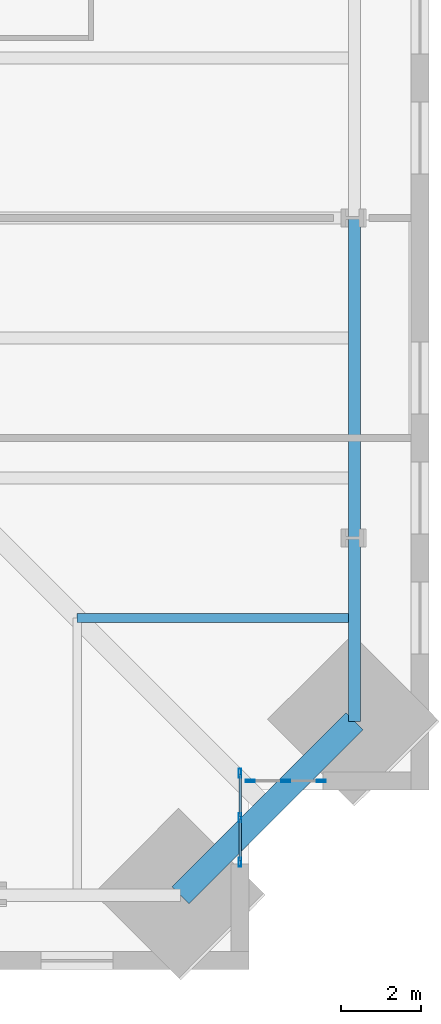
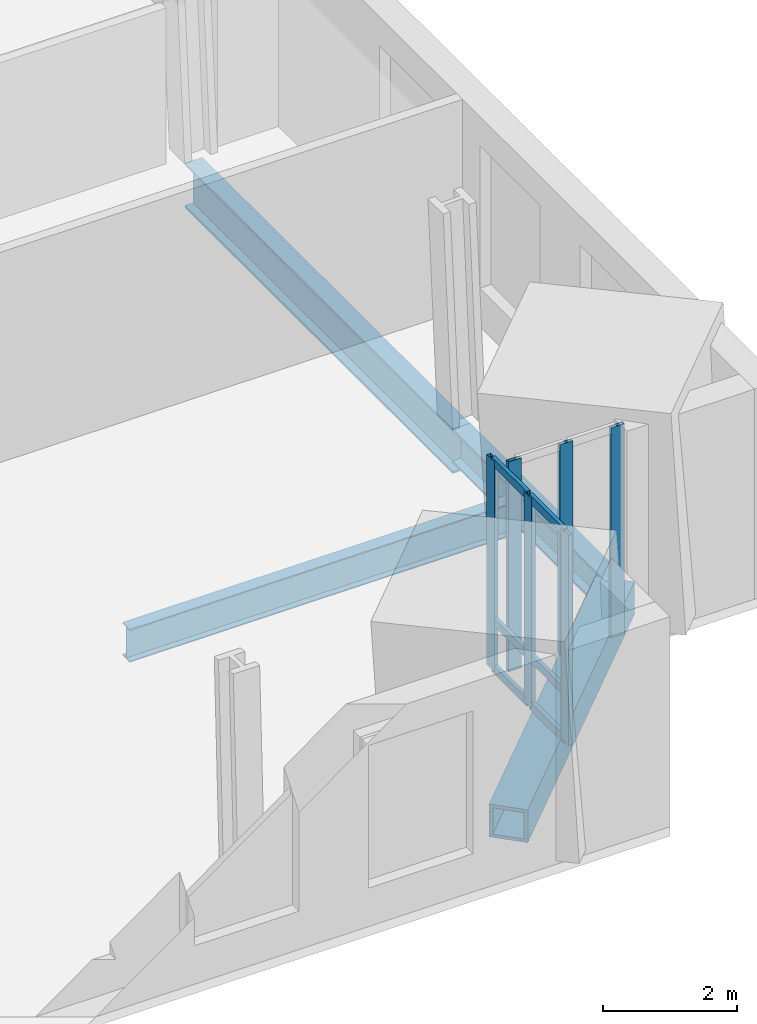
# One storey, part 4 of 17: 12 members, 4 beams, 2 elements without a shape of their own.
"""IFC4 building model written with IfcOpenShell, lengths in metres."""

from ifc_helpers import new_model, si_unit, direction, frame, origin, origin_2d, place, context, subcontext, project, spatial, hollow_rectangle, i_section, extrude, material, material_profile, profile_set, type_object, element, aggregate, save


model = new_model("IFC4")

# Units and contexts
model_context = context("Model", 3, precision=1e-05, world=origin(), true_north=direction((0.0, 1.0)))
body_context = subcontext(model_context, "Body", "Model", "MODEL_VIEW")
ifc_project = project(units=[si_unit("LENGTHUNIT", "METRE"), si_unit("AREAUNIT", "SQUARE_METRE"), si_unit("VOLUMEUNIT", "CUBIC_METRE"), si_unit("PLANEANGLEUNIT", "RADIAN"), si_unit("MASSUNIT", "GRAM", prefix="KILO")], contexts=[model_context])

# Site, building, storey
site_placement = place(None, origin())
site = spatial("IfcSite", under=ifc_project, at=site_placement, CompositionType="ELEMENT")
building_placement = place(site_placement, origin())
building = spatial("IfcBuilding", under=site, at=building_placement, Name="Peilmerk Tower", CompositionType="ELEMENT")
storey_placement = place(building_placement, frame((0.0, 0.0, 147.800048828125)))
storey = spatial("IfcBuildingStorey", under=building, at=storey_placement, Name="L30", CompositionType="ELEMENT", Elevation=147.800048828125)

# Beams
ifc_material_1 = material(Name="Steel S355", Category="steel")
ifc_material_profile_1 = material_profile(ifc_material_1, i_section(OverallWidth=0.219970703125, OverallDepth=0.60009765625, WebThickness=0.011962890625, FlangeThickness=0.01904296875, at=origin_2d()), Name="IPE 600")
ifc_profile_set_1 = profile_set([ifc_material_profile_1], Name="Steel S355")
beam_type_1 = type_object("IfcBeamType", Name="B10 IPE 600 floor beam", PredefinedType="BEAM", material=ifc_profile_set_1)
beam_1_placement = place(storey_placement, frame((18.0, -18.0, -0.469970703125), z_axis=(1.0, 0.0, 0.0), x_axis=(0.0, 1.0, 0.0)))
element("IfcBeam", 1, at=beam_1_placement, inside=storey, type_object=beam_type_1, Name="Floor beam L30", PredefinedType="BEAM", context=body_context, shape_type="SweptSolid", body=[
    extrude(i_section(OverallWidth=0.219970703125, OverallDepth=0.60009765625, WebThickness=0.011962890625, FlangeThickness=0.01904296875, at=origin_2d()), origin(), (0.0, 0.0, 1.0), 6.93701171875),
])
ifc_material_profile_2 = material_profile(ifc_material_1, i_section(OverallWidth=0.302978515625, OverallDepth=0.81396484375, WebThickness=0.02099609375, FlangeThickness=0.0400390625, at=origin_2d()), Name="HEM 800")
ifc_profile_set_2 = profile_set([ifc_material_profile_2], Name="Steel S355")
beam_type_2 = type_object("IfcBeamType", Name="B15 HEM 800 edge beam", PredefinedType="SPANDREL", material=ifc_profile_set_2)
beam_2_placement = place(storey_placement, frame((24.93701171875, -16.0, -0.5771484375), z_axis=(0.0, 1.0, 0.0), x_axis=(-1.0, 0.0, 0.0)))
element("IfcBeam", 2, at=beam_2_placement, inside=storey, type_object=beam_type_2, Name="Edge beam L30", PredefinedType="SPANDREL", context=body_context, shape_type="SweptSolid", body=[
    extrude(i_section(OverallWidth=0.302978515625, OverallDepth=0.81396484375, WebThickness=0.02099609375, FlangeThickness=0.0400390625, at=origin_2d()), origin(), (0.0, 0.0, 1.0), 8.0),
])
ifc_material_2 = material(Name="Steel S460", Category="steel")
ifc_material_profile_3 = material_profile(ifc_material_2, hollow_rectangle(XDim=0.60009765625, YDim=0.60009765625, WallThickness=0.06005859375, at=origin_2d()), Name="BOX 600x600x60")
ifc_profile_set_3 = profile_set([ifc_material_profile_3], Name="Steel S460")
beam_type_3 = type_object("IfcBeamType", Name="B20 BOX 600x600x60 notch beam", PredefinedType="SPANDREL", material=ifc_profile_set_3)
beam_3_placement = place(storey_placement, frame((24.93701171875, -20.587158203125, -0.469970703125), z_axis=(-0.707106781187, -0.707106781187, 0.0), x_axis=(0.707106781187, -0.707106781187, 0.0)))
element("IfcBeam", 3, at=beam_3_placement, inside=storey, type_object=beam_type_3, Name="Notch beam L30", PredefinedType="SPANDREL", context=body_context, shape_type="SweptSolid", body=[
    extrude(hollow_rectangle(XDim=0.60009765625, YDim=0.60009765625, WallThickness=0.06005859375, at=origin_2d()), origin(), (0.0, 0.0, 1.0), 6.151611328125),
])
ifc_material_profile_4 = material_profile(ifc_material_1, i_section(OverallWidth=0.304931640625, OverallDepth=0.6201171875, WebThickness=0.02099609375, FlangeThickness=0.0400390625, at=origin_2d()), Name="HEM 600")
ifc_profile_set_4 = profile_set([ifc_material_profile_4], Name="Steel S355")
beam_type_4 = type_object("IfcBeamType", Name="B31 HEM 600 edge beam", PredefinedType="SPANDREL", material=ifc_profile_set_4)
beam_4_placement = place(storey_placement, frame((24.93701171875, -20.587158203125, -0.47998046875), z_axis=(0.0, 1.0, 0.0), x_axis=(-1.0, 0.0, 0.0)))
element("IfcBeam", 4, at=beam_4_placement, inside=storey, type_object=beam_type_4, Name="Edge beam L30", PredefinedType="SPANDREL", context=body_context, shape_type="SweptSolid", body=[
    extrude(i_section(OverallWidth=0.304931640625, OverallDepth=0.6201171875, WebThickness=0.02099609375, FlangeThickness=0.0400390625, at=origin_2d()), origin(), (0.0, 0.0, 1.0), 4.587158203125),
])

# Curtain wall, members
ifc_material_3 = material(Name="Aluminium stick curtain wall", Category="aluminium")
curtain_wall_type = type_object("IfcCurtainWallType", Name="CW3 stick curtain wall, 2250 module", PredefinedType="NOTDEFINED", material=ifc_material_3)
curtain_wall_1_placement = place(storey_placement, origin())
curtain_wall_1 = element("IfcCurtainWall", 5, at=curtain_wall_1_placement, inside=storey, type_object=curtain_wall_type, Name="Curtain wall CW3 SEA L30", PredefinedType="NOTDEFINED")
ifc_material_4 = material(Name="Aluminium EN AW-6063 T6", Category="aluminium")
ifc_material_profile_5 = material_profile(ifc_material_4, hollow_rectangle(XDim=0.06494140625, YDim=0.22509765625, WallThickness=0.00390625, at=origin_2d()), Name="AL 225x65x4")
ifc_profile_set_5 = profile_set([ifc_material_profile_5], Name="Aluminium EN AW-6063 T6")
member_type_1 = type_object("IfcMemberType", Name="CW3-M AL 225x65x4 mullion", PredefinedType="MULLION", material=ifc_profile_set_5)
member_1_placement = place(storey_placement, frame((22.074951171875, -21.882568359375, 0.0), z_axis=(0.0, 0.0, 1.0), x_axis=(1.0, 0.0, 0.0)))
member_1 = element("IfcMember", 6, at=member_1_placement, type_object=member_type_1, Name="CW3 mullion 1", PredefinedType="MULLION", context=body_context, shape_type="SweptSolid", body=[
    extrude(hollow_rectangle(XDim=0.06494140625, YDim=0.22509765625, WallThickness=0.00390625, at=origin_2d()), origin(), (0.0, 0.0, 1.0), 3.829833984375),
])
member_2_placement = place(storey_placement, frame((22.074951171875, -22.994384765625, 0.0), z_axis=(0.0, 0.0, 1.0), x_axis=(1.0, 0.0, 0.0)))
member_2 = element("IfcMember", 7, at=member_2_placement, type_object=member_type_1, Name="CW3 mullion 2", PredefinedType="MULLION", context=body_context, shape_type="SweptSolid", body=[
    extrude(hollow_rectangle(XDim=0.06494140625, YDim=0.22509765625, WallThickness=0.00390625, at=origin_2d()), origin(), (0.0, 0.0, 1.0), 3.829833984375),
])
member_3_placement = place(storey_placement, frame((22.074951171875, -24.106201171875, 0.0), z_axis=(0.0, 0.0, 1.0), x_axis=(1.0, 0.0, 0.0)))
member_3 = element("IfcMember", 8, at=member_3_placement, type_object=member_type_1, Name="CW3 mullion 3", PredefinedType="MULLION", context=body_context, shape_type="SweptSolid", body=[
    extrude(hollow_rectangle(XDim=0.06494140625, YDim=0.22509765625, WallThickness=0.00390625, at=origin_2d()), origin(), (0.0, 0.0, 1.0), 3.829833984375),
])

curtain_wall_2_placement = place(storey_placement, origin())
curtain_wall_2 = element("IfcCurtainWall", 9, at=curtain_wall_2_placement, inside=storey, type_object=curtain_wall_type, Name="Curtain wall CW3 SEB L30", PredefinedType="NOTDEFINED")
member_4_placement = place(storey_placement, frame((22.33251953125, -22.074951171875, 0.0), z_axis=(0.0, 0.0, 1.0), x_axis=(0.0, 1.0, 0.0)))
member_4 = element("IfcMember", 10, at=member_4_placement, type_object=member_type_1, Name="CW3 mullion 1", PredefinedType="MULLION", context=body_context, shape_type="SweptSolid", body=[
    extrude(hollow_rectangle(XDim=0.06494140625, YDim=0.22509765625, WallThickness=0.00390625, at=origin_2d()), origin(), (0.0, 0.0, 1.0), 3.829833984375),
])
member_5_placement = place(storey_placement, frame((23.21923828125, -22.074951171875, 0.0), z_axis=(0.0, 0.0, 1.0), x_axis=(0.0, 1.0, 0.0)))
member_5 = element("IfcMember", 11, at=member_5_placement, type_object=member_type_1, Name="CW3 mullion 2", PredefinedType="MULLION", context=body_context, shape_type="SweptSolid", body=[
    extrude(hollow_rectangle(XDim=0.06494140625, YDim=0.22509765625, WallThickness=0.00390625, at=origin_2d()), origin(), (0.0, 0.0, 1.0), 3.829833984375),
])
member_6_placement = place(storey_placement, frame((24.106201171875, -22.074951171875, 0.0), z_axis=(0.0, 0.0, 1.0), x_axis=(0.0, 1.0, 0.0)))
member_6 = element("IfcMember", 12, at=member_6_placement, type_object=member_type_1, Name="CW3 mullion 3", PredefinedType="MULLION", context=body_context, shape_type="SweptSolid", body=[
    extrude(hollow_rectangle(XDim=0.06494140625, YDim=0.22509765625, WallThickness=0.00390625, at=origin_2d()), origin(), (0.0, 0.0, 1.0), 3.829833984375),
])
aggregate(curtain_wall_2, [member_4, member_5, member_6])

# Member
ifc_material_profile_6 = material_profile(ifc_material_4, hollow_rectangle(XDim=0.06494140625, YDim=0.14990234375, WallThickness=0.0029296875, at=origin_2d()), Name="AL 150x65x3")
ifc_profile_set_6 = profile_set([ifc_material_profile_6], Name="Aluminium EN AW-6063 T6")
member_type_2 = type_object("IfcMemberType", Name="CW3-T AL 150x65x3 transom", PredefinedType="USERDEFINED", material=ifc_profile_set_6)
member_7_placement = place(storey_placement, frame((22.074951171875, -21.9150390625, 0.032470703125), z_axis=(0.0, -1.0, 0.0), x_axis=(1.0, 0.0, 0.0)))
member_7 = element("IfcMember", 13, at=member_7_placement, type_object=member_type_2, Name="CW3 transom 1.1", ObjectType="TRANSOM", PredefinedType="USERDEFINED", context=body_context, shape_type="SweptSolid", body=[
    extrude(hollow_rectangle(XDim=0.06494140625, YDim=0.14990234375, WallThickness=0.0029296875, at=origin_2d()), origin(), (0.0, 0.0, 1.0), 1.046875),
])

member_8_placement = place(storey_placement, frame((22.074951171875, -21.9150390625, 0.89990234375), z_axis=(0.0, -1.0, 0.0), x_axis=(1.0, 0.0, 0.0)))
member_8 = element("IfcMember", 14, at=member_8_placement, type_object=member_type_2, Name="CW3 transom 1.2", ObjectType="TRANSOM", PredefinedType="USERDEFINED", context=body_context, shape_type="SweptSolid", body=[
    extrude(hollow_rectangle(XDim=0.06494140625, YDim=0.14990234375, WallThickness=0.0029296875, at=origin_2d()), origin(), (0.0, 0.0, 1.0), 1.046875),
])

member_9_placement = place(storey_placement, frame((22.074951171875, -21.9150390625, 3.79736328125), z_axis=(0.0, -1.0, 0.0), x_axis=(1.0, 0.0, 0.0)))
member_9 = element("IfcMember", 15, at=member_9_placement, type_object=member_type_2, Name="CW3 transom 1.3", ObjectType="TRANSOM", PredefinedType="USERDEFINED", context=body_context, shape_type="SweptSolid", body=[
    extrude(hollow_rectangle(XDim=0.06494140625, YDim=0.14990234375, WallThickness=0.0029296875, at=origin_2d()), origin(), (0.0, 0.0, 1.0), 1.046875),
])

member_10_placement = place(storey_placement, frame((22.074951171875, -23.02685546875, 0.032470703125), z_axis=(0.0, -1.0, 0.0), x_axis=(1.0, 0.0, 0.0)))
member_10 = element("IfcMember", 16, at=member_10_placement, type_object=member_type_2, Name="CW3 transom 2.1", ObjectType="TRANSOM", PredefinedType="USERDEFINED", context=body_context, shape_type="SweptSolid", body=[
    extrude(hollow_rectangle(XDim=0.06494140625, YDim=0.14990234375, WallThickness=0.0029296875, at=origin_2d()), origin(), (0.0, 0.0, 1.0), 1.046875),
])

member_11_placement = place(storey_placement, frame((22.074951171875, -23.02685546875, 0.89990234375), z_axis=(0.0, -1.0, 0.0), x_axis=(1.0, 0.0, 0.0)))
member_11 = element("IfcMember", 17, at=member_11_placement, type_object=member_type_2, Name="CW3 transom 2.2", ObjectType="TRANSOM", PredefinedType="USERDEFINED", context=body_context, shape_type="SweptSolid", body=[
    extrude(hollow_rectangle(XDim=0.06494140625, YDim=0.14990234375, WallThickness=0.0029296875, at=origin_2d()), origin(), (0.0, 0.0, 1.0), 1.046875),
])

member_12_placement = place(storey_placement, frame((22.074951171875, -23.02685546875, 3.79736328125), z_axis=(0.0, -1.0, 0.0), x_axis=(1.0, 0.0, 0.0)))
member_12 = element("IfcMember", 18, at=member_12_placement, type_object=member_type_2, Name="CW3 transom 2.3", ObjectType="TRANSOM", PredefinedType="USERDEFINED", context=body_context, shape_type="SweptSolid", body=[
    extrude(hollow_rectangle(XDim=0.06494140625, YDim=0.14990234375, WallThickness=0.0029296875, at=origin_2d()), origin(), (0.0, 0.0, 1.0), 1.046875),
])

aggregate(curtain_wall_1, [member_1, member_2, member_3, member_7, member_8, member_9, member_10, member_11, member_12])

save(model, "model.ifc")
